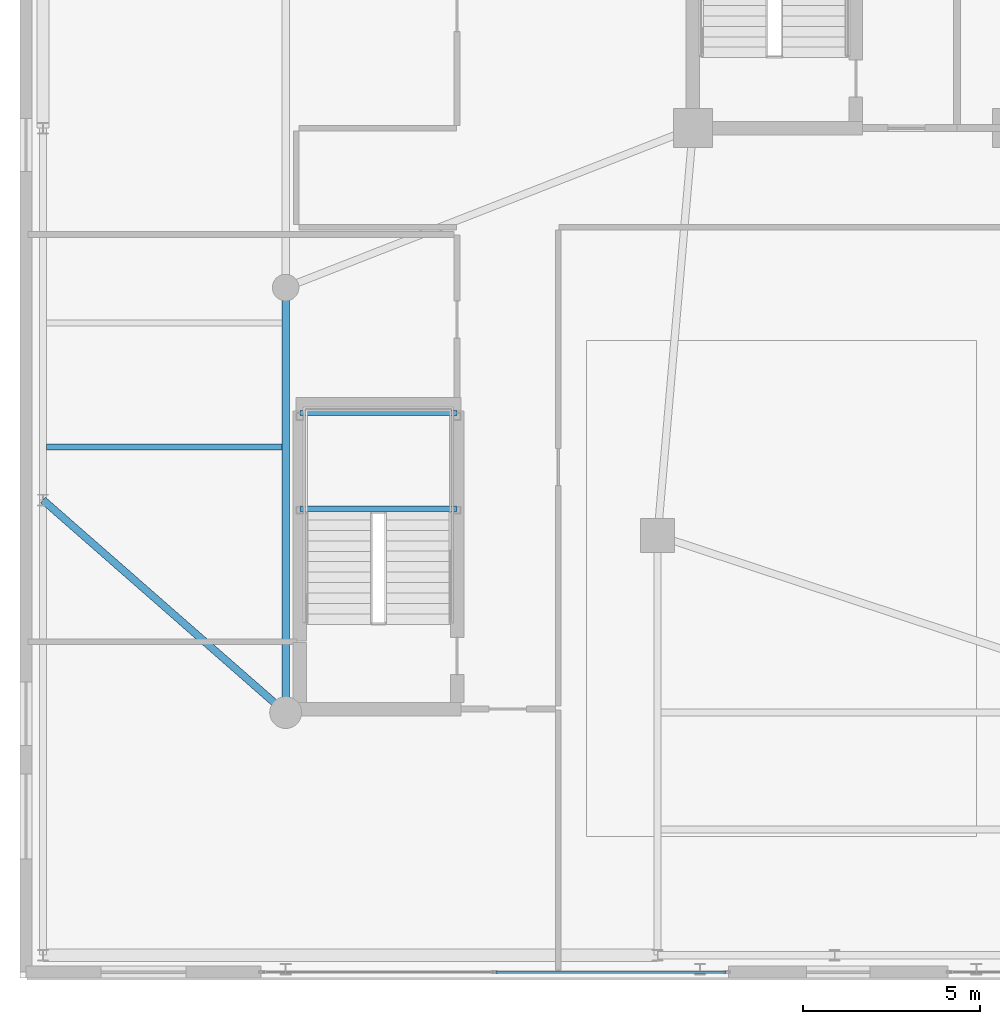
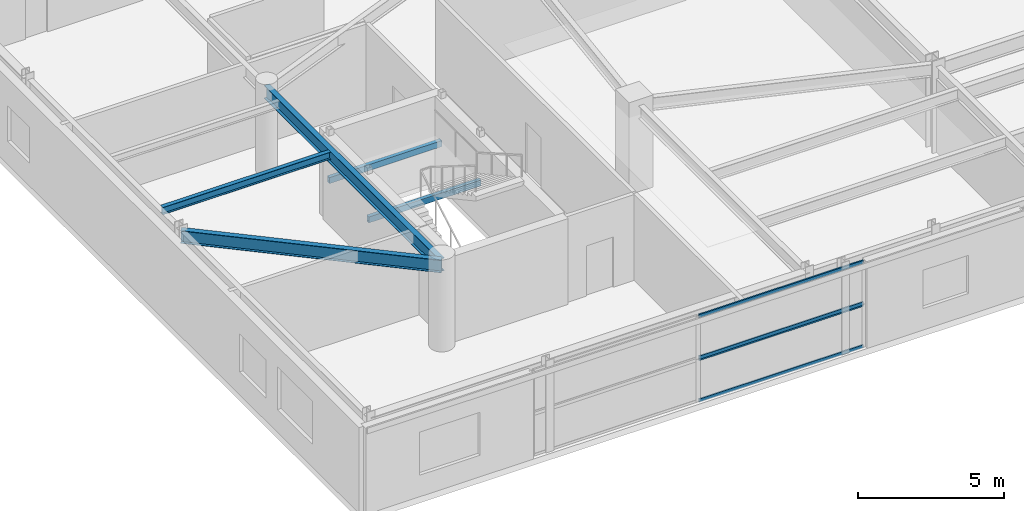
# One storey, part 9 of 26: 5 beams, 4 members, 2 elements without a shape of their own.
"""IFC4 building model written with IfcOpenShell, lengths in metres."""

import ifcopenshell
import ifcopenshell.guid

model = None  # the IFC model being written
_history = None  # IfcOwnerHistory: only IFC2X3 demands one
_inside = {}  # id of a spatial element -> (the spatial element, [elements in it])
_under = {}  # id of a project, library or spatial element -> (it, [spatial elements below it])
_declared = {}  # id of a project -> (the project, [libraries it declares])
_typed = {}  # id of a type object -> (the type object, [elements of that type])
_made_of = {}  # id of a material, layer set ... -> (it, [elements and type objects made of it])


def new_model(schema):
    """Start an empty IFC model of exactly this schema.

    Asked for "IFC4X3", IfcOpenShell would pick the latest addendum, in which some entities
    have other attributes; the version numbers below select the first issue.
    IFC2X3 requires an IfcOwnerHistory on every rooted entity: one is made here for all.
    """
    global model, _history
    if schema == "IFC4X3":
        model = ifcopenshell.file(schema_version=(4, 3, 0, 0))
    else:
        model = ifcopenshell.file(schema=schema)
    _inside.clear()
    _under.clear()
    _declared.clear()
    _typed.clear()
    _made_of.clear()
    _history = None
    if model.schema == "IFC2X3":
        org = make("IfcOrganization", Name="unknown")
        user = make(
            "IfcPersonAndOrganization",
            ThePerson=make("IfcPerson", FamilyName="unknown"),
            TheOrganization=org,
        )
        app = make(
            "IfcApplication",
            ApplicationDeveloper=org,
            Version="unknown",
            ApplicationFullName="unknown",
            ApplicationIdentifier="unknown",
        )
        _history = make(
            "IfcOwnerHistory",
            OwningUser=user,
            OwningApplication=app,
            ChangeAction="ADDED",
            CreationDate=0,
        )
    return model


def make(cls, **values):
    """One entity of the class cls with the attributes given. An attribute that is None is left unset."""
    return model.create_entity(
        cls, **{name: value for name, value in values.items() if value is not None}
    )


def rooted(cls, **values):
    """An entity with a GlobalId (a new one), such as an element, a storey or a relation."""
    return make(cls, GlobalId=ifcopenshell.guid.new(), OwnerHistory=_history, **values)


def si_unit(unit_type, name, prefix=None):
    """IfcSIUnit, for example si_unit("LENGTHUNIT", "METRE", prefix="MILLI")."""
    return make("IfcSIUnit", UnitType=unit_type, Prefix=prefix, Name=name)


def assignment(units):
    """IfcUnitAssignment: the units of a project."""
    return None if units is None else make("IfcUnitAssignment", Units=units)


def point(xyz):
    """IfcCartesianPoint."""
    return None if xyz is None else make("IfcCartesianPoint", Coordinates=xyz)


def direction(xyz):
    """IfcDirection."""
    return None if xyz is None else make("IfcDirection", DirectionRatios=xyz)


def frame(location, z_axis=None, x_axis=None):
    """IfcAxis2Placement3D, a coordinate frame: its origin and axes. An axis left out is left unset."""
    return make(
        "IfcAxis2Placement3D",
        Location=point(location),
        Axis=direction(z_axis),
        RefDirection=direction(x_axis),
    )


def frame_2d(location, x_axis=None):
    """IfcAxis2Placement2D, a coordinate frame in the plane: its origin and x axis."""
    return make(
        "IfcAxis2Placement2D", Location=point(location), RefDirection=direction(x_axis)
    )


def origin():
    """The frame at (0, 0, 0) with its axes left unset."""
    return frame((0.0, 0.0, 0.0))


def origin_2d():
    """The frame at (0, 0) in the plane with its x axis left unset."""
    return frame_2d((0.0, 0.0))


def place(relative_to, where):
    """IfcLocalPlacement: puts the frame where relative to a parent placement (None: the world)."""
    return make(
        "IfcLocalPlacement", PlacementRelTo=relative_to, RelativePlacement=where
    )


def context(
    kind, dimensions, precision=None, world=None, true_north=None, identifier=None
):
    """IfcGeometricRepresentationContext, for example the 3D "Model" context."""
    return make(
        "IfcGeometricRepresentationContext",
        ContextIdentifier=identifier,
        ContextType=kind,
        CoordinateSpaceDimension=dimensions,
        Precision=precision,
        WorldCoordinateSystem=world,
        TrueNorth=true_north,
    )


def subcontext(parent, identifier, kind, view, scale=None):
    """IfcGeometricRepresentationSubContext, for example "Body" below "Model"."""
    return make(
        "IfcGeometricRepresentationSubContext",
        ContextIdentifier=identifier,
        ContextType=kind,
        ParentContext=parent,
        TargetScale=scale,
        TargetView=view,
    )


def project(units=None, contexts=None):
    """IfcProject with its units and contexts."""
    return rooted(
        "IfcProject",
        Name="project",
        RepresentationContexts=contexts,
        UnitsInContext=assignment(units),
    )


def spatial(cls, under=None, at=None, **own):
    """A site, building, storey or space (cls), placed at a placement, below another one or the project."""
    s = rooted(cls, ObjectPlacement=at, **own)
    if under is not None:
        _under.setdefault(under.id(), (under, []))[1].append(s)
    return s


def profile(cls, at=None, kind="AREA", **sizes):
    """A parametric profile (cls). Its sizes go by their IFC names, for example OverallWidth=200.0."""
    return make(cls, ProfileType=kind, Position=at, **sizes)


def hollow_rectangle(**sizes):
    """IfcRectangleHollowProfileDef."""
    return profile("IfcRectangleHollowProfileDef", **sizes)


def i_section(**sizes):
    """IfcIShapeProfileDef."""
    return profile("IfcIShapeProfileDef", **sizes)


def extrude(swept, where, along, depth):
    """IfcExtrudedAreaSolid: the profile swept, set in the frame where, extruded along a direction by depth."""
    return make(
        "IfcExtrudedAreaSolid",
        SweptArea=swept,
        Position=where,
        ExtrudedDirection=direction(along),
        Depth=depth,
    )


def shape(context_of_items, identifier, shape_type, items):
    """IfcShapeRepresentation: the items that make up one representation, for example the "Body"."""
    return make(
        "IfcShapeRepresentation",
        ContextOfItems=context_of_items,
        RepresentationIdentifier=identifier,
        RepresentationType=shape_type,
        Items=items,
    )


def source(mapping_origin, context_of_items, identifier, shape_type, items):
    """IfcRepresentationMap: a shape defined once, which mapped items show again and again."""
    return make(
        "IfcRepresentationMap",
        MappingOrigin=mapping_origin,
        MappedRepresentation=shape(context_of_items, identifier, shape_type, items),
    )


def transform(
    local_origin,
    x_axis=None,
    y_axis=None,
    z_axis=None,
    scale=None,
    scale2=None,
    scale3=None,
    uniform=True,
):
    """IfcCartesianTransformationOperator3D, or its non-uniform kind. x_axis, y_axis, z_axis: its Axis1, 2, 3."""
    if uniform:
        return make(
            "IfcCartesianTransformationOperator3D",
            Axis1=direction(x_axis),
            Axis2=direction(y_axis),
            LocalOrigin=point(local_origin),
            Scale=scale,
            Axis3=direction(z_axis),
        )
    return make(
        "IfcCartesianTransformationOperator3DnonUniform",
        Axis1=direction(x_axis),
        Axis2=direction(y_axis),
        LocalOrigin=point(local_origin),
        Scale=scale,
        Axis3=direction(z_axis),
        Scale2=scale2,
        Scale3=scale3,
    )


def mapped(mapping_source, mapping_target):
    """IfcMappedItem: shows the shape of a source again, moved by a transform."""
    return make(
        "IfcMappedItem", MappingSource=mapping_source, MappingTarget=mapping_target
    )


def material(Name=None, Category=None):
    """IfcMaterial."""
    return make("IfcMaterial", Name=Name, Category=Category)


def layer(
    of_material, thickness, ventilated=None, Name=None, Category=None, Priority=None
):
    """IfcMaterialLayer: one layer of a wall or slab, of a material (None: an air gap)."""
    return make(
        "IfcMaterialLayer",
        Material=of_material,
        LayerThickness=thickness,
        IsVentilated=ventilated,
        Name=Name,
        Category=Category,
        Priority=Priority,
    )


def layer_set(layers, Name=None):
    """IfcMaterialLayerSet."""
    return make("IfcMaterialLayerSet", MaterialLayers=layers, LayerSetName=Name)


def material_profile(
    of_material, cross_section, Name=None, Category=None, Priority=None
):
    """IfcMaterialProfile: a cross section and its material."""
    return make(
        "IfcMaterialProfile",
        Name=Name,
        Material=of_material,
        Profile=cross_section,
        Priority=Priority,
        Category=Category,
    )


def profile_set(profiles, Name=None, composite=None):
    """IfcMaterialProfileSet."""
    return make(
        "IfcMaterialProfileSet",
        Name=Name,
        MaterialProfiles=profiles,
        CompositeProfile=composite,
    )


def made_of(thing, what):
    """Note that an element or type object is made of a material, layer set ...; save() writes the relation."""
    if what is not None:
        _made_of.setdefault(what.id(), (what, []))[1].append(thing)
    return thing


def type_object(cls, material=None, **own):
    """A type object (cls), such as IfcWallType, which elements share."""
    return made_of(rooted(cls, **own), material)


def element(
    cls,
    number,
    at=None,
    inside=None,
    cuts=None,
    type_object=None,
    material=None,
    context=None,
    identifier="Body",
    shape_type=None,
    held_by="IfcProductDefinitionShape",
    body=None,
    shapes=None,
    **own,
):
    """One element of the class cls, such as IfcWall. Its Tag is "e" and its number.

    at: its placement. inside: the storey or other place that contains it. cuts: it is an
    opening in that element (IfcRelVoidsElement). A single representation is given by context,
    identifier, shape_type and body (its items); several are given by shapes. held_by: the class
    of the entity that holds the representations. save() writes the other relations.
    """
    e = rooted(cls, Tag="e%d" % number, ObjectPlacement=at, **own)
    if body is not None:
        shapes = [shape(context, identifier, shape_type, body)]
    if shapes is not None:
        e.Representation = make(held_by, Representations=shapes)
    if inside is not None:
        _inside.setdefault(inside.id(), (inside, []))[1].append(e)
    if cuts is not None:
        rooted(
            "IfcRelVoidsElement", RelatingBuildingElement=cuts, RelatedOpeningElement=e
        )
    if type_object is not None:
        _typed.setdefault(type_object.id(), (type_object, []))[1].append(e)
    return made_of(e, material)


def aggregate(whole, parts):
    """IfcRelAggregates: a whole, such as a stair, and the parts it consists of."""
    return rooted("IfcRelAggregates", RelatingObject=whole, RelatedObjects=parts)


def save(model, path):
    """Write the relations noted so far, then the file.

    IfcRelAggregates (storeys below a building ...), IfcRelContainedInSpatialStructure (elements
    in a storey), IfcRelDefinesByType, IfcRelAssociatesMaterial and IfcRelDeclares: one each for
    every whole, place, type object, material and project.
    """
    for whole, parts in _under.values():
        aggregate(whole, parts)
    for where, things in _inside.values():
        rooted(
            "IfcRelContainedInSpatialStructure",
            RelatedElements=things,
            RelatingStructure=where,
        )
    for kind, things in _typed.values():
        rooted("IfcRelDefinesByType", RelatedObjects=things, RelatingType=kind)
    for what, things in _made_of.values():
        rooted("IfcRelAssociatesMaterial", RelatedObjects=things, RelatingMaterial=what)
    for by, libraries in _declared.values():
        rooted("IfcRelDeclares", RelatingContext=by, RelatedDefinitions=libraries)
    model.write(path)


model = new_model("IFC4")

# Units and contexts
model_context = context("Model", 3, precision=1e-05, world=origin(), true_north=direction((0.0, 1.0)))
body_context = subcontext(model_context, "Body", "Model", "MODEL_VIEW")
ifc_project = project(units=[si_unit("LENGTHUNIT", "METRE"), si_unit("AREAUNIT", "SQUARE_METRE"), si_unit("VOLUMEUNIT", "CUBIC_METRE"), si_unit("PLANEANGLEUNIT", "RADIAN"), si_unit("MASSUNIT", "GRAM", prefix="KILO")], contexts=[model_context])

# Site, building, storey
site_placement = place(None, origin())
site = spatial("IfcSite", under=ifc_project, at=site_placement, CompositionType="ELEMENT")
building_placement = place(site_placement, origin())
building = spatial("IfcBuilding", under=site, at=building_placement, Name="Taldren Reach Tower", CompositionType="ELEMENT")
storey_placement = place(building_placement, frame((0.0, 0.0, 4.550048828125)))
storey = spatial("IfcBuildingStorey", under=building, at=storey_placement, Name="L01", CompositionType="ELEMENT", Elevation=4.550048828125)

# Beams
ifc_material_1 = material(Name="Steel Gr 350 (350PLUS)", Category="steel")
ifc_material_profile_1 = material_profile(ifc_material_1, i_section(OverallWidth=0.208984375, OverallDepth=0.532958984375, WebThickness=0.01025390625, FlangeThickness=0.015625, at=origin_2d()), Name="530UB92.4")
ifc_profile_set_1 = profile_set([ifc_material_profile_1], Name="Steel Gr 350 (350PLUS)")
beam_type_1 = type_object("IfcBeamType", Name="BM-UB530A", PredefinedType="BEAM", material=ifc_profile_set_1)
shared_shape_1 = source(origin(), body_context, "Body", "SweptSolid", [
    extrude(i_section(OverallWidth=0.208984375, OverallDepth=0.532958984375, WebThickness=0.01025390625, FlangeThickness=0.015625, at=origin_2d()), origin(), (0.0, 0.0, 1.0), 9.106201171875),
])
beam_1_placement = place(storey_placement, frame((0.64990234375, 13.5, 3.323486328125), z_axis=(0.75224111342, -0.658887932262, 0.0), x_axis=(0.658887932262, 0.75224111342, 0.0)))
element("IfcBeam", 1, at=beam_1_placement, inside=storey, type_object=beam_type_1, Name="Podium beam L01-PD18", PredefinedType="BEAM", context=body_context, shape_type="MappedRepresentation", body=[
    mapped(shared_shape_1, transform((0.0, 0.0, 0.0), scale=1.0)),
])
shared_shape_2 = source(origin(), body_context, "Body", "SweptSolid", [
    extrude(i_section(OverallWidth=0.208984375, OverallDepth=0.532958984375, WebThickness=0.01025390625, FlangeThickness=0.015625, at=origin_2d()), origin(), (0.0, 0.0, 1.0), 12.0),
])
beam_2_placement = place(storey_placement, frame((7.5, 7.5, 3.323486328125), z_axis=(0.0, 1.0, 0.0), x_axis=(-1.0, 0.0, 0.0)))
element("IfcBeam", 2, at=beam_2_placement, inside=storey, type_object=beam_type_1, Name="Podium beam L01-PD19", PredefinedType="BEAM", context=body_context, shape_type="MappedRepresentation", body=[
    mapped(shared_shape_2, transform((0.0, 0.0, 0.0), scale=1.0)),
])
ifc_material_2 = material(Name="Steel Gr 300 (300PLUS, 300 MPa)", Category="steel")
ifc_material_profile_2 = material_profile(ifc_material_2, i_section(OverallWidth=0.166015625, OverallDepth=0.306884765625, WebThickness=0.006591796875, FlangeThickness=0.01171875, at=origin_2d()), Name="310UB46.2")
ifc_profile_set_2 = profile_set([ifc_material_profile_2], Name="Steel Gr 300 (300PLUS, 300 MPa)")
beam_type_2 = type_object("IfcBeamType", Name="JS-UB310", PredefinedType="JOIST", material=ifc_profile_set_2)
shared_shape_3 = source(origin(), body_context, "Body", "SweptSolid", [
    extrude(i_section(OverallWidth=0.166015625, OverallDepth=0.306884765625, WebThickness=0.006591796875, FlangeThickness=0.01171875, at=origin_2d()), origin(), (0.0, 0.0, 1.0), 6.64111328125),
])
beam_3_placement = place(storey_placement, frame((0.75439453125, 15.0, 3.4365234375), z_axis=(1.0, 0.0, 0.0), x_axis=(0.0, 1.0, 0.0)))
element("IfcBeam", 3, at=beam_3_placement, inside=storey, type_object=beam_type_2, Name="Podium wing floor joist L01-3.1", PredefinedType="JOIST", context=body_context, shape_type="MappedRepresentation", body=[
    mapped(shared_shape_3, transform((0.0, 0.0, 0.0), scale=1.0)),
])

# Curtain wall, members
ifc_material_3 = material(Name="Aluminium and Low-E Glass Unitised System", Category="aluminium")
ifc_layer = layer(ifc_material_3, 0.159912109375)
ifc_layer_set = layer_set([ifc_layer], Name="Aluminium and Low-E Glass Unitised System")
curtain_wall_type = type_object("IfcCurtainWallType", Name="CW-SYS-1", PredefinedType="NOTDEFINED", material=ifc_layer_set)
curtain_wall_1_placement = place(storey_placement, origin())
curtain_wall_1 = element("IfcCurtainWall", 4, at=curtain_wall_1_placement, inside=storey, type_object=curtain_wall_type, Name="Unitised curtain wall CW1-L01-S1", PredefinedType="NOTDEFINED")
ifc_material_4 = material(Name="Anodised Aluminium 6063-T6", Category="aluminium")
ifc_material_profile_3 = material_profile(ifc_material_4, hollow_rectangle(XDim=0.06005859375, YDim=0.135009765625, WallThickness=0.00341796875, at=origin_2d()), Name="ALU-135x60x3.5RHS")
ifc_profile_set_3 = profile_set([ifc_material_profile_3], Name="Anodised Aluminium 6063-T6")
member_type = type_object("IfcMemberType", Name="CW-TRN-150", PredefinedType="USERDEFINED", material=ifc_profile_set_3)
shared_shape_4 = source(origin(), body_context, "Body", "SweptSolid", [
    extrude(hollow_rectangle(XDim=0.06005859375, YDim=0.135009765625, WallThickness=0.00341796875, at=origin_2d()), origin(), (0.0, 0.0, 1.0), 6.494873046875),
])
member_1_placement = place(storey_placement, frame((13.43505859375, 0.169921875, 0.030029296875), z_axis=(1.0, 0.0, 0.0), x_axis=(0.0, 1.0, 0.0)))
member_1 = element("IfcMember", 5, at=member_1_placement, type_object=member_type, Name="CW-1 transom 2.1", ObjectType="TRANSOM", PredefinedType="USERDEFINED", context=body_context, shape_type="MappedRepresentation", body=[
    mapped(shared_shape_4, transform((0.0, 0.0, 0.0), scale=1.0)),
])
member_2_placement = place(storey_placement, frame((13.43505859375, 0.169921875, 1.764892578125), z_axis=(1.0, 0.0, 0.0), x_axis=(0.0, 1.0, 0.0)))
member_2 = element("IfcMember", 6, at=member_2_placement, type_object=member_type, Name="CW-1 transom 2.2", ObjectType="TRANSOM", PredefinedType="USERDEFINED", context=body_context, shape_type="MappedRepresentation", body=[
    mapped(shared_shape_4, transform((0.0, 0.0, 0.0), scale=1.0)),
])
aggregate(curtain_wall_1, [member_1, member_2])

curtain_wall_2_placement = place(storey_placement, origin())
curtain_wall_2 = element("IfcCurtainWall", 7, at=curtain_wall_2_placement, inside=storey, type_object=curtain_wall_type, Name="Unitised curtain wall CW1-L01-S1-T2", PredefinedType="NOTDEFINED")
member_3_placement = place(storey_placement, frame((13.43505859375, 0.169921875, 1.824951171875), z_axis=(1.0, 0.0, 0.0), x_axis=(0.0, 1.0, 0.0)))
member_3 = element("IfcMember", 8, at=member_3_placement, type_object=member_type, Name="CW-1 transom 2.1", ObjectType="TRANSOM", PredefinedType="USERDEFINED", context=body_context, shape_type="MappedRepresentation", body=[
    mapped(shared_shape_4, transform((0.0, 0.0, 0.0), scale=1.0)),
])
member_4_placement = place(storey_placement, frame((13.43505859375, 0.169921875, 3.56005859375), z_axis=(1.0, 0.0, 0.0), x_axis=(0.0, 1.0, 0.0)))
member_4 = element("IfcMember", 9, at=member_4_placement, type_object=member_type, Name="CW-1 transom 2.2", ObjectType="TRANSOM", PredefinedType="USERDEFINED", context=body_context, shape_type="MappedRepresentation", body=[
    mapped(shared_shape_4, transform((0.0, 0.0, 0.0), scale=1.0)),
])
aggregate(curtain_wall_2, [member_3, member_4])

# Beams
ifc_material_5 = material(Name="Steel Gr 350 (C350L0)", Category="steel")
ifc_material_profile_4 = material_profile(ifc_material_5, hollow_rectangle(XDim=0.14990234375, YDim=0.25, WallThickness=0.009033203125, at=origin_2d()), Name="250x150x9.0RHS")
ifc_profile_set_4 = profile_set([ifc_material_profile_4], Name="Steel Gr 350 (C350L0)")
beam_type_3 = type_object("IfcBeamType", Name="LN-RHS250", PredefinedType="LINTEL", material=ifc_profile_set_4)
shared_shape_5 = source(origin(), body_context, "Body", "SweptSolid", [
    extrude(hollow_rectangle(XDim=0.14990234375, YDim=0.25, WallThickness=0.009033203125, at=origin_2d()), origin(), (0.0, 0.0, 1.0), 4.440185546875),
])
for number, where, z_axis, x_axis, name in (
    (10, (7.89990234375, 13.2548828125, 1.619873046875), (1.0, 0.0, 0.0), (0.0, 1.0, 0.0), "Stair half-landing support beam ST3-L01-1"),
    (11, (7.89990234375, 15.9599609375, 1.619873046875), (1.0, 0.0, 0.0), (0.0, 1.0, 0.0), "Stair half-landing support beam ST3-L01-2"),
):
    element("IfcBeam", number, at=place(storey_placement, frame(where, z_axis=z_axis, x_axis=x_axis)), inside=storey, type_object=beam_type_3, Name=name, PredefinedType="LINTEL", context=body_context, shape_type="MappedRepresentation", body=[
        mapped(shared_shape_5, transform((0.0, 0.0, 0.0), scale=1.0)),
    ])

save(model, "model.ifc")
